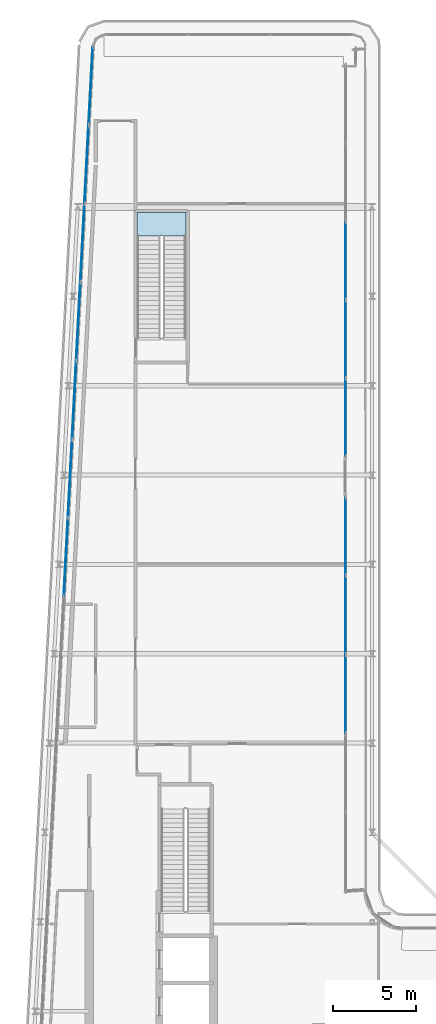
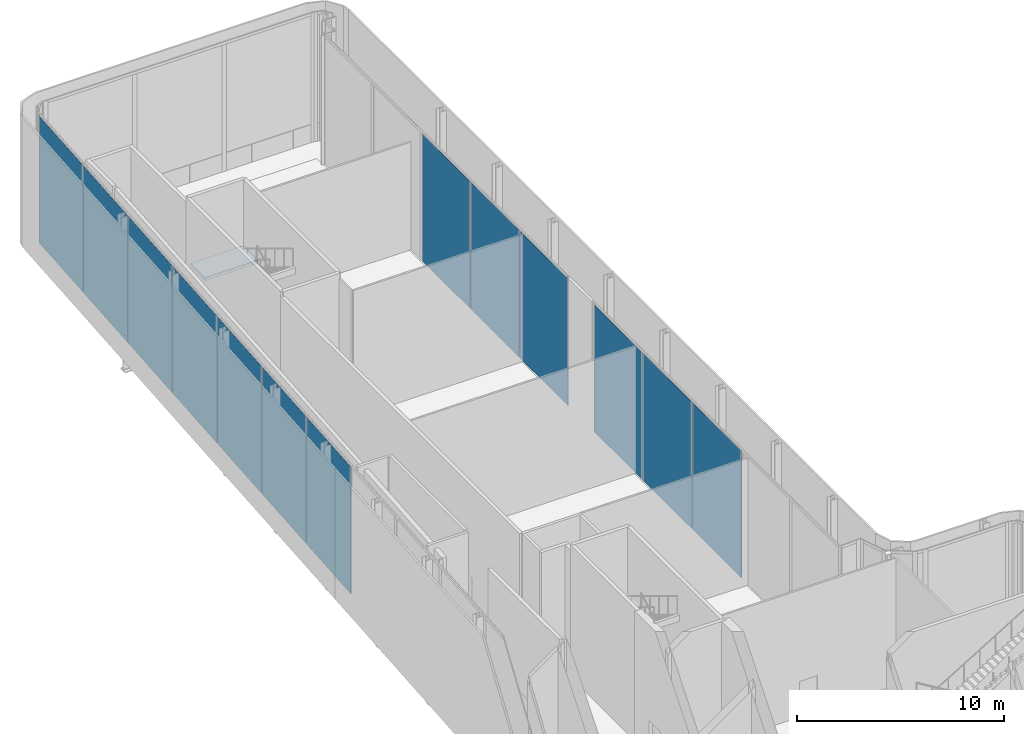
# One storey, part 14 of 23: 13 plates, 1 slab, 4 elements without a shape of their own.
"""IFC4 building model written with IfcOpenShell, lengths in metres."""

from ifc_helpers import new_model, si_unit, direction, frame, origin, origin_2d, place, context, subcontext, project, spatial, polyline, rectangle, outline, extrude, material, layer, layer_set, type_object, element, aggregate, save


model = new_model("IFC4")

# Units and contexts
model_context = context("Model", 3, precision=1e-05, world=origin(), true_north=direction((0.0, 1.0)))
body_context = subcontext(model_context, "Body", "Model", "MODEL_VIEW")
ifc_project = project(units=[si_unit("LENGTHUNIT", "METRE"), si_unit("AREAUNIT", "SQUARE_METRE"), si_unit("VOLUMEUNIT", "CUBIC_METRE"), si_unit("PLANEANGLEUNIT", "RADIAN"), si_unit("MASSUNIT", "GRAM", prefix="KILO")], contexts=[model_context])

# Site, building, storey
site_placement = place(None, origin())
site = spatial("IfcSite", under=ifc_project, at=site_placement, CompositionType="ELEMENT")
building_placement = place(site_placement, origin())
building = spatial("IfcBuilding", under=site, at=building_placement, Name="Kheshtan School and Residences Tower", CompositionType="ELEMENT")
storey_placement = place(building_placement, frame((0.0, 0.0, 389.0)))
storey = spatial("IfcBuildingStorey", under=building, at=storey_placement, Name="L92", CompositionType="ELEMENT", Elevation=389.0)

# Curtain wall, plates
ifc_material_1 = material(Name="Clear low-e glass in thermally broken aluminium frame", Category="aluminium")
ifc_layer_1 = layer(ifc_material_1, 0.25)
ifc_layer_set_1 = layer_set([ifc_layer_1], Name="Curtain wall CW-G")
curtain_wall_type_1 = type_object("IfcCurtainWallType", Name="Curtain wall CW-G", PredefinedType="NOTDEFINED", material=ifc_layer_set_1)
curtain_wall_1_placement = place(storey_placement, origin())
curtain_wall_1 = element("IfcCurtainWall", 1, at=curtain_wall_1_placement, inside=storey, type_object=curtain_wall_type_1, Name="Curtain wall CWG19b", PredefinedType="NOTDEFINED")
ifc_layer_2 = layer(ifc_material_1, 0.0380859375)
ifc_layer_set_2 = layer_set([ifc_layer_2], Name="CW-G glass panel")
plate_type_1 = type_object("IfcPlateType", Name="CW-G glass panel", PredefinedType="CURTAIN_PANEL", material=ifc_layer_set_2)
plate_1_placement = place(storey_placement, frame((46.0, 85.550048828125, 0.0), z_axis=(0.0, 0.0, 1.0), x_axis=(0.0, -1.0, 0.0)))
plate_1 = element("IfcPlate", 2, at=plate_1_placement, type_object=plate_type_1, Name="CWG19b panel 3.1", PredefinedType="CURTAIN_PANEL", context=body_context, shape_type="SweptSolid", body=[
    extrude(rectangle(XDim=4.679931640625, YDim=0.0380859375, at=origin_2d()), origin(), (0.0, 0.0, 1.0), 7.489990234375),
])
plate_2_placement = place(storey_placement, frame((46.0, 80.81005859375, 0.0), z_axis=(0.0, 0.0, 1.0), x_axis=(0.0, -1.0, 0.0)))
plate_2 = element("IfcPlate", 3, at=plate_2_placement, type_object=plate_type_1, Name="CWG19b panel 4.1", PredefinedType="CURTAIN_PANEL", context=body_context, shape_type="SweptSolid", body=[
    extrude(rectangle(XDim=4.679931640625, YDim=0.0380859375, at=origin_2d()), origin(), (0.0, 0.0, 1.0), 7.489990234375),
])
plate_3_placement = place(storey_placement, frame((46.0, 76.0849609375, 0.0), z_axis=(0.0, 0.0, 1.0), x_axis=(0.0, -1.0, 0.0)))
plate_3 = element("IfcPlate", 4, at=plate_3_placement, type_object=plate_type_1, Name="CWG19b panel 5.1", PredefinedType="CURTAIN_PANEL", context=body_context, shape_type="SweptSolid", body=[
    extrude(rectangle(XDim=4.64990234375, YDim=0.0380859375, at=origin_2d()), origin(), (0.0, 0.0, 1.0), 7.489990234375),
])
aggregate(curtain_wall_1, [plate_1, plate_2, plate_3])

curtain_wall_2_placement = place(storey_placement, origin())
curtain_wall_2 = element("IfcCurtainWall", 5, at=curtain_wall_2_placement, inside=storey, type_object=curtain_wall_type_1, Name="Curtain wall CWG19c", PredefinedType="NOTDEFINED")
plate_4_placement = place(storey_placement, frame((46.0, 68.89794921875, 0.0), z_axis=(0.0, 0.0, 1.0), x_axis=(0.0, -1.0, 0.0)))
plate_4 = element("IfcPlate", 6, at=plate_4_placement, type_object=plate_type_1, Name="CWG19c panel 1.1", PredefinedType="CURTAIN_PANEL", context=body_context, shape_type="SweptSolid", body=[
    extrude(rectangle(XDim=4.68408203125, YDim=0.0380859375, at=origin_2d()), origin(), (0.0, 0.0, 1.0), 7.489990234375),
])
plate_5_placement = place(storey_placement, frame((46.0, 64.138916015625, 0.0), z_axis=(0.0, 0.0, 1.0), x_axis=(0.0, -1.0, 0.0)))
plate_5 = element("IfcPlate", 7, at=plate_5_placement, type_object=plate_type_1, Name="CWG19c panel 2.1", PredefinedType="CURTAIN_PANEL", context=body_context, shape_type="SweptSolid", body=[
    extrude(rectangle(XDim=4.714111328125, YDim=0.0380859375, at=origin_2d()), origin(), (0.0, 0.0, 1.0), 7.489990234375),
])
plate_6_placement = place(storey_placement, frame((46.0, 59.364990234375, 0.0), z_axis=(0.0, 0.0, 1.0), x_axis=(0.0, -1.0, 0.0)))
plate_6 = element("IfcPlate", 8, at=plate_6_placement, type_object=plate_type_1, Name="CWG19c panel 3.1", PredefinedType="CURTAIN_PANEL", context=body_context, shape_type="SweptSolid", body=[
    extrude(rectangle(XDim=4.714111328125, YDim=0.0380859375, at=origin_2d()), origin(), (0.0, 0.0, 1.0), 7.489990234375),
])
aggregate(curtain_wall_2, [plate_4, plate_5, plate_6])

ifc_layer_3 = layer(ifc_material_1, 0.25)
ifc_layer_set_3 = layer_set([ifc_layer_3], Name="Curtain wall CW-K")
curtain_wall_type_2 = type_object("IfcCurtainWallType", Name="Curtain wall CW-K", PredefinedType="NOTDEFINED", material=ifc_layer_set_3)
curtain_wall_3_placement = place(storey_placement, origin())
curtain_wall_3 = element("IfcCurtainWall", 9, at=curtain_wall_3_placement, inside=storey, type_object=curtain_wall_type_2, Name="Curtain wall CWK10a", PredefinedType="NOTDEFINED")
ifc_layer_4 = layer(ifc_material_1, 0.0380859375)
ifc_layer_set_4 = layer_set([ifc_layer_4], Name="CW-K glass panel")
plate_type_2 = type_object("IfcPlateType", Name="CW-K glass panel", PredefinedType="CURTAIN_PANEL", material=ifc_layer_set_4)
plate_7_placement = place(storey_placement, frame((29.09619140625, 67.617431640625, 0.0), z_axis=(0.0, 0.0, 1.0), x_axis=(0.05256513568, 0.998617497599, 0.0)))
plate_7 = element("IfcPlate", 10, at=plate_7_placement, type_object=plate_type_2, Name="CWK10a panel 8.1", PredefinedType="CURTAIN_PANEL", context=body_context, shape_type="SweptSolid", body=[
    extrude(rectangle(XDim=4.69873046875, YDim=0.0380859375, at=origin_2d()), origin(), (0.0, 0.0, 1.0), 7.489990234375),
])
plate_8_placement = place(storey_placement, frame((29.346435546875, 72.369384765625, 0.0), z_axis=(0.0, 0.0, 1.0), x_axis=(0.05256513568, 0.998617497599, 0.0)))
plate_8 = element("IfcPlate", 11, at=plate_8_placement, type_object=plate_type_2, Name="CWK10a panel 9.1", PredefinedType="CURTAIN_PANEL", context=body_context, shape_type="SweptSolid", body=[
    extrude(rectangle(XDim=4.69873046875, YDim=0.0380859375, at=origin_2d()), origin(), (0.0, 0.0, 1.0), 7.489990234375),
])
plate_9_placement = place(storey_placement, frame((29.596435546875, 77.12158203125, 0.0), z_axis=(0.0, 0.0, 1.0), x_axis=(0.05256513568, 0.998617497599, 0.0)))
plate_9 = element("IfcPlate", 12, at=plate_9_placement, type_object=plate_type_2, Name="CWK10a panel 10.1", PredefinedType="CURTAIN_PANEL", context=body_context, shape_type="SweptSolid", body=[
    extrude(rectangle(XDim=4.69873046875, YDim=0.0380859375, at=origin_2d()), origin(), (0.0, 0.0, 1.0), 7.489990234375),
])
plate_10_placement = place(storey_placement, frame((29.8466796875, 81.873779296875, 0.0), z_axis=(0.0, 0.0, 1.0), x_axis=(0.05256513568, 0.998617497599, 0.0)))
plate_10 = element("IfcPlate", 13, at=plate_10_placement, type_object=plate_type_2, Name="CWK10a panel 11.1", PredefinedType="CURTAIN_PANEL", context=body_context, shape_type="SweptSolid", body=[
    extrude(rectangle(XDim=4.69873046875, YDim=0.0380859375, at=origin_2d()), origin(), (0.0, 0.0, 1.0), 7.489990234375),
])
plate_11_placement = place(storey_placement, frame((30.0966796875, 86.6259765625, 0.0), z_axis=(0.0, 0.0, 1.0), x_axis=(0.05256513568, 0.998617497599, 0.0)))
plate_11 = element("IfcPlate", 14, at=plate_11_placement, type_object=plate_type_2, Name="CWK10a panel 12.1", PredefinedType="CURTAIN_PANEL", context=body_context, shape_type="SweptSolid", body=[
    extrude(rectangle(XDim=4.69873046875, YDim=0.0380859375, at=origin_2d()), origin(), (0.0, 0.0, 1.0), 7.489990234375),
])
plate_12_placement = place(storey_placement, frame((30.346923828125, 91.3779296875, 0.0), z_axis=(0.0, 0.0, 1.0), x_axis=(0.05256513568, 0.998617497599, 0.0)))
plate_12 = element("IfcPlate", 15, at=plate_12_placement, type_object=plate_type_2, Name="CWK10a panel 13.1", PredefinedType="CURTAIN_PANEL", context=body_context, shape_type="SweptSolid", body=[
    extrude(rectangle(XDim=4.69873046875, YDim=0.0380859375, at=origin_2d()), origin(), (0.0, 0.0, 1.0), 7.489990234375),
])
plate_13_placement = place(storey_placement, frame((30.59619140625, 96.115234375, 0.0), z_axis=(0.0, 0.0, 1.0), x_axis=(0.05256513568, 0.998617497599, 0.0)))
plate_13 = element("IfcPlate", 16, at=plate_13_placement, type_object=plate_type_2, Name="CWK10a panel 14.1", PredefinedType="CURTAIN_PANEL", context=body_context, shape_type="SweptSolid", body=[
    extrude(rectangle(XDim=4.668701171875, YDim=0.0380859375, at=origin_2d()), origin(), (0.0, 0.0, 1.0), 7.489990234375),
])
aggregate(curtain_wall_3, [plate_7, plate_8, plate_9, plate_10, plate_11, plate_12, plate_13])

# Stair, slab
ifc_material_2 = material(Name="Concrete C40/50", Category="concrete")
stair_type = type_object("IfcStairType", Name="Exit stair, half-turn", PredefinedType="HALF_TURN_STAIR", material=ifc_material_2)
stair_placement = place(storey_placement, origin())
stair = element("IfcStair", 17, at=stair_placement, inside=storey, type_object=stair_type, Name="L92 Protected Exit Stair ST3", PredefinedType="HALF_TURN_STAIR")
ifc_layer_5 = layer(ifc_material_2, 0.199951171875)
ifc_layer_set_5 = layer_set([ifc_layer_5], Name="Stair landing 200 Concrete C40/50")
slab_type = type_object("IfcSlabType", Name="Stair landing 200 Concrete C40/50", PredefinedType="LANDING", material=ifc_layer_set_5)
slab_placement = place(storey_placement, frame((0.0, 0.0, 3.699951171875)))
slab = element("IfcSlab", 18, at=slab_placement, type_object=slab_type, Name="ST3 landing 1", PredefinedType="LANDING", context=body_context, shape_type="SweptSolid", body=[
    extrude(outline(polyline([(36.35009765625, 87.06005859375), (36.35009765625, 88.4599609375), (33.39990234375, 88.4599609375), (33.39990234375, 87.06005859375), (36.35009765625, 87.06005859375)])), origin(), (0.0, 0.0, 1.0), 0.199951171875),
])
aggregate(stair, [slab])

save(model, "model.ifc")
